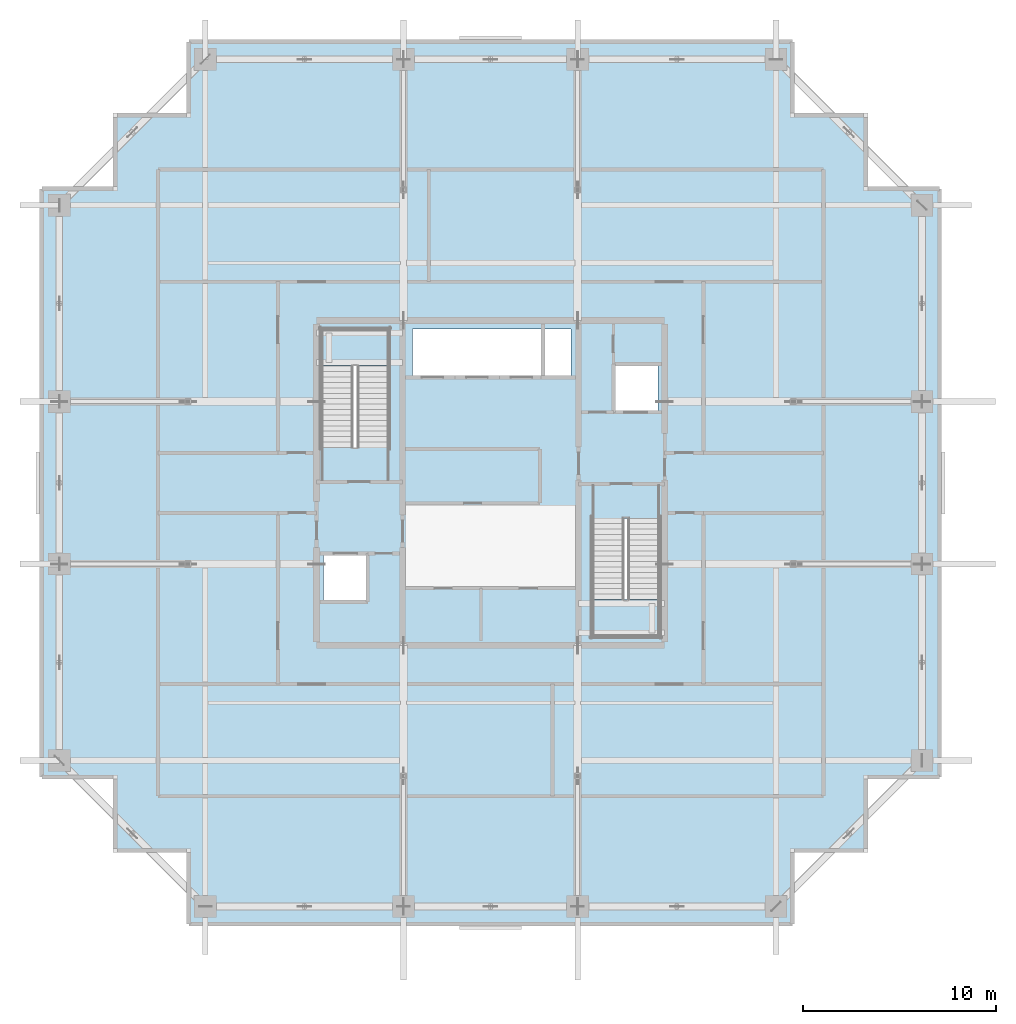
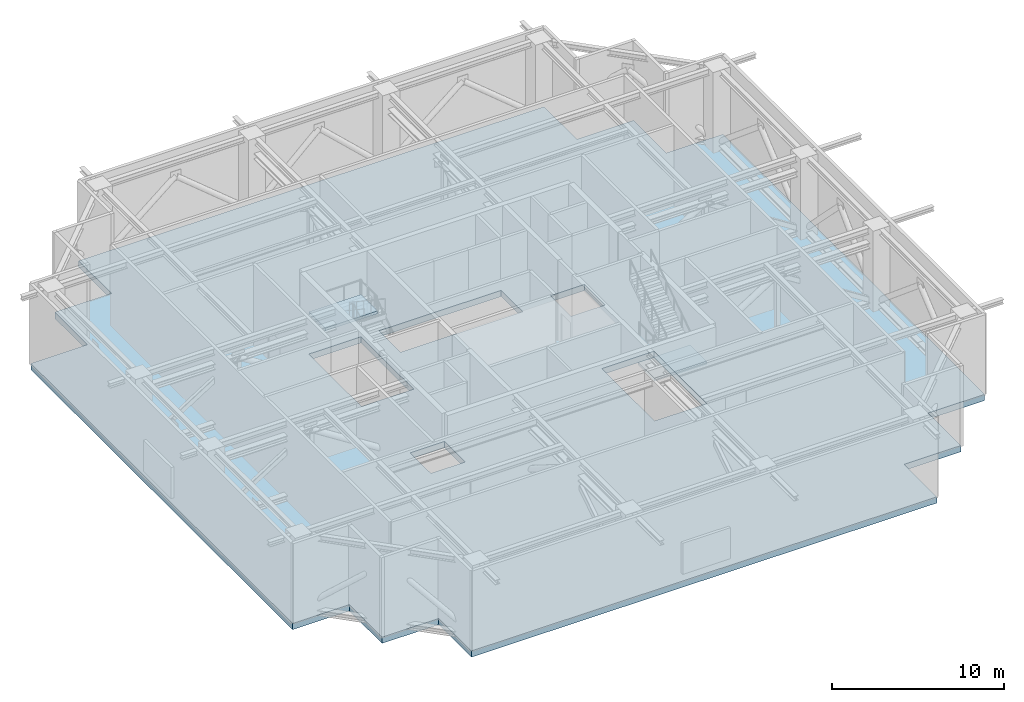
# One storey, part 8 of 22: 3 slabs, 2 elements without a shape of their own.
"""IFC4 building model written with IfcOpenShell, lengths in metres."""

import ifcopenshell
import ifcopenshell.guid

model = None  # the IFC model being written
_history = None  # IfcOwnerHistory: only IFC2X3 demands one
_inside = {}  # id of a spatial element -> (the spatial element, [elements in it])
_under = {}  # id of a project, library or spatial element -> (it, [spatial elements below it])
_declared = {}  # id of a project -> (the project, [libraries it declares])
_typed = {}  # id of a type object -> (the type object, [elements of that type])
_made_of = {}  # id of a material, layer set ... -> (it, [elements and type objects made of it])


def new_model(schema):
    """Start an empty IFC model of exactly this schema.

    Asked for "IFC4X3", IfcOpenShell would pick the latest addendum, in which some entities
    have other attributes; the version numbers below select the first issue.
    IFC2X3 requires an IfcOwnerHistory on every rooted entity: one is made here for all.
    """
    global model, _history
    if schema == "IFC4X3":
        model = ifcopenshell.file(schema_version=(4, 3, 0, 0))
    else:
        model = ifcopenshell.file(schema=schema)
    _inside.clear()
    _under.clear()
    _declared.clear()
    _typed.clear()
    _made_of.clear()
    _history = None
    if model.schema == "IFC2X3":
        org = make("IfcOrganization", Name="unknown")
        user = make(
            "IfcPersonAndOrganization",
            ThePerson=make("IfcPerson", FamilyName="unknown"),
            TheOrganization=org,
        )
        app = make(
            "IfcApplication",
            ApplicationDeveloper=org,
            Version="unknown",
            ApplicationFullName="unknown",
            ApplicationIdentifier="unknown",
        )
        _history = make(
            "IfcOwnerHistory",
            OwningUser=user,
            OwningApplication=app,
            ChangeAction="ADDED",
            CreationDate=0,
        )
    return model


def make(cls, **values):
    """One entity of the class cls with the attributes given. An attribute that is None is left unset."""
    return model.create_entity(
        cls, **{name: value for name, value in values.items() if value is not None}
    )


def rooted(cls, **values):
    """An entity with a GlobalId (a new one), such as an element, a storey or a relation."""
    return make(cls, GlobalId=ifcopenshell.guid.new(), OwnerHistory=_history, **values)


def si_unit(unit_type, name, prefix=None):
    """IfcSIUnit, for example si_unit("LENGTHUNIT", "METRE", prefix="MILLI")."""
    return make("IfcSIUnit", UnitType=unit_type, Prefix=prefix, Name=name)


def assignment(units):
    """IfcUnitAssignment: the units of a project."""
    return None if units is None else make("IfcUnitAssignment", Units=units)


def point(xyz):
    """IfcCartesianPoint."""
    return None if xyz is None else make("IfcCartesianPoint", Coordinates=xyz)


def direction(xyz):
    """IfcDirection."""
    return None if xyz is None else make("IfcDirection", DirectionRatios=xyz)


def frame(location, z_axis=None, x_axis=None):
    """IfcAxis2Placement3D, a coordinate frame: its origin and axes. An axis left out is left unset."""
    return make(
        "IfcAxis2Placement3D",
        Location=point(location),
        Axis=direction(z_axis),
        RefDirection=direction(x_axis),
    )


def origin():
    """The frame at (0, 0, 0) with its axes left unset."""
    return frame((0.0, 0.0, 0.0))


def place(relative_to, where):
    """IfcLocalPlacement: puts the frame where relative to a parent placement (None: the world)."""
    return make(
        "IfcLocalPlacement", PlacementRelTo=relative_to, RelativePlacement=where
    )


def context(
    kind, dimensions, precision=None, world=None, true_north=None, identifier=None
):
    """IfcGeometricRepresentationContext, for example the 3D "Model" context."""
    return make(
        "IfcGeometricRepresentationContext",
        ContextIdentifier=identifier,
        ContextType=kind,
        CoordinateSpaceDimension=dimensions,
        Precision=precision,
        WorldCoordinateSystem=world,
        TrueNorth=true_north,
    )


def subcontext(parent, identifier, kind, view, scale=None):
    """IfcGeometricRepresentationSubContext, for example "Body" below "Model"."""
    return make(
        "IfcGeometricRepresentationSubContext",
        ContextIdentifier=identifier,
        ContextType=kind,
        ParentContext=parent,
        TargetScale=scale,
        TargetView=view,
    )


def project(units=None, contexts=None):
    """IfcProject with its units and contexts."""
    return rooted(
        "IfcProject",
        Name="project",
        RepresentationContexts=contexts,
        UnitsInContext=assignment(units),
    )


def spatial(cls, under=None, at=None, **own):
    """A site, building, storey or space (cls), placed at a placement, below another one or the project."""
    s = rooted(cls, ObjectPlacement=at, **own)
    if under is not None:
        _under.setdefault(under.id(), (under, []))[1].append(s)
    return s


def polyline(points):
    """IfcPolyline through the points."""
    return make("IfcPolyline", Points=[point(p) for p in points])


def outline(outer, holes=None, kind="AREA"):
    """IfcArbitraryClosedProfileDef: a profile drawn as a closed curve; with holes, ...WithVoids."""
    if holes is None:
        return make("IfcArbitraryClosedProfileDef", ProfileType=kind, OuterCurve=outer)
    return make(
        "IfcArbitraryProfileDefWithVoids",
        ProfileType=kind,
        OuterCurve=outer,
        InnerCurves=holes,
    )


def extrude(swept, where, along, depth):
    """IfcExtrudedAreaSolid: the profile swept, set in the frame where, extruded along a direction by depth."""
    return make(
        "IfcExtrudedAreaSolid",
        SweptArea=swept,
        Position=where,
        ExtrudedDirection=direction(along),
        Depth=depth,
    )


def shape(context_of_items, identifier, shape_type, items):
    """IfcShapeRepresentation: the items that make up one representation, for example the "Body"."""
    return make(
        "IfcShapeRepresentation",
        ContextOfItems=context_of_items,
        RepresentationIdentifier=identifier,
        RepresentationType=shape_type,
        Items=items,
    )


def material(Name=None, Category=None):
    """IfcMaterial."""
    return make("IfcMaterial", Name=Name, Category=Category)


def layer(
    of_material, thickness, ventilated=None, Name=None, Category=None, Priority=None
):
    """IfcMaterialLayer: one layer of a wall or slab, of a material (None: an air gap)."""
    return make(
        "IfcMaterialLayer",
        Material=of_material,
        LayerThickness=thickness,
        IsVentilated=ventilated,
        Name=Name,
        Category=Category,
        Priority=Priority,
    )


def layer_set(layers, Name=None):
    """IfcMaterialLayerSet."""
    return make("IfcMaterialLayerSet", MaterialLayers=layers, LayerSetName=Name)


def made_of(thing, what):
    """Note that an element or type object is made of a material, layer set ...; save() writes the relation."""
    if what is not None:
        _made_of.setdefault(what.id(), (what, []))[1].append(thing)
    return thing


def type_object(cls, material=None, **own):
    """A type object (cls), such as IfcWallType, which elements share."""
    return made_of(rooted(cls, **own), material)


def element(
    cls,
    number,
    at=None,
    inside=None,
    cuts=None,
    type_object=None,
    material=None,
    context=None,
    identifier="Body",
    shape_type=None,
    held_by="IfcProductDefinitionShape",
    body=None,
    shapes=None,
    **own,
):
    """One element of the class cls, such as IfcWall. Its Tag is "e" and its number.

    at: its placement. inside: the storey or other place that contains it. cuts: it is an
    opening in that element (IfcRelVoidsElement). A single representation is given by context,
    identifier, shape_type and body (its items); several are given by shapes. held_by: the class
    of the entity that holds the representations. save() writes the other relations.
    """
    e = rooted(cls, Tag="e%d" % number, ObjectPlacement=at, **own)
    if body is not None:
        shapes = [shape(context, identifier, shape_type, body)]
    if shapes is not None:
        e.Representation = make(held_by, Representations=shapes)
    if inside is not None:
        _inside.setdefault(inside.id(), (inside, []))[1].append(e)
    if cuts is not None:
        rooted(
            "IfcRelVoidsElement", RelatingBuildingElement=cuts, RelatedOpeningElement=e
        )
    if type_object is not None:
        _typed.setdefault(type_object.id(), (type_object, []))[1].append(e)
    return made_of(e, material)


def aggregate(whole, parts):
    """IfcRelAggregates: a whole, such as a stair, and the parts it consists of."""
    return rooted("IfcRelAggregates", RelatingObject=whole, RelatedObjects=parts)


def save(model, path):
    """Write the relations noted so far, then the file.

    IfcRelAggregates (storeys below a building ...), IfcRelContainedInSpatialStructure (elements
    in a storey), IfcRelDefinesByType, IfcRelAssociatesMaterial and IfcRelDeclares: one each for
    every whole, place, type object, material and project.
    """
    for whole, parts in _under.values():
        aggregate(whole, parts)
    for where, things in _inside.values():
        rooted(
            "IfcRelContainedInSpatialStructure",
            RelatedElements=things,
            RelatingStructure=where,
        )
    for kind, things in _typed.values():
        rooted("IfcRelDefinesByType", RelatedObjects=things, RelatingType=kind)
    for what, things in _made_of.values():
        rooted("IfcRelAssociatesMaterial", RelatedObjects=things, RelatingMaterial=what)
    for by, libraries in _declared.values():
        rooted("IfcRelDeclares", RelatingContext=by, RelatedDefinitions=libraries)
    model.write(path)


model = new_model("IFC4")

# Units and contexts
model_context = context("Model", 3, precision=1e-05, world=origin(), true_north=direction((0.0, 1.0)))
body_context = subcontext(model_context, "Body", "Model", "MODEL_VIEW")
ifc_project = project(units=[si_unit("LENGTHUNIT", "METRE"), si_unit("AREAUNIT", "SQUARE_METRE"), si_unit("VOLUMEUNIT", "CUBIC_METRE"), si_unit("PLANEANGLEUNIT", "RADIAN"), si_unit("MASSUNIT", "GRAM", prefix="KILO")], contexts=[model_context])

# Site, building, storey
site_placement = place(None, origin())
site = spatial("IfcSite", under=ifc_project, at=site_placement, CompositionType="ELEMENT")
building_placement = place(site_placement, origin())
building = spatial("IfcBuilding", under=site, at=building_placement, Name="Serunith Strait Residences", CompositionType="ELEMENT")
storey_placement = place(building_placement, frame((0.0, 0.0, 287.449951171875)))
storey = spatial("IfcBuildingStorey", under=building, at=storey_placement, Name="L72", CompositionType="ELEMENT", Elevation=287.449951171875)

# Stair, slab
ifc_material_1 = material(Name="Concrete C50/60", Category="concrete")
stair_type_1 = type_object("IfcStairType", Name="STR-CORE-1", PredefinedType="HALF_TURN_STAIR", material=ifc_material_1)
stair_1_placement = place(storey_placement, origin())
stair_1 = element("IfcStair", 1, at=stair_1_placement, inside=storey, type_object=stair_type_1, Name="L72 Protected Escape Stair ST-1", PredefinedType="HALF_TURN_STAIR")
ifc_layer_1 = layer(ifc_material_1, 0.199951171875, Name="Concrete C50/60")
ifc_layer_set_1 = layer_set([ifc_layer_1], Name="Concrete C50/60")
slab_type_1 = type_object("IfcSlabType", Name="SLB-LAND-200", PredefinedType="LANDING", material=ifc_layer_set_1)
slab_1_placement = place(storey_placement, frame((0.0, 0.0, 2.800048828125)))
slab_1 = element("IfcSlab", 2, at=slab_1_placement, type_object=slab_type_1, Name="ST-1 landing 1", PredefinedType="LANDING", context=body_context, shape_type="SweptSolid", body=[
    extrude(outline(polyline([(27.14990234375, 31.22998046875), (27.14990234375, 33.14990234375), (23.64990234375, 33.14990234375), (23.64990234375, 31.22998046875), (27.14990234375, 31.22998046875)])), origin(), (0.0, 0.0, 1.0), 0.199951171875),
])
aggregate(stair_1, [slab_1])

stair_type_2 = type_object("IfcStairType", Name="STR-CORE-2", PredefinedType="HALF_TURN_STAIR", material=ifc_material_1)
stair_2_placement = place(storey_placement, origin())
stair_2 = element("IfcStair", 3, at=stair_2_placement, inside=storey, type_object=stair_type_2, Name="L72 Protected Escape Stair ST-2", PredefinedType="HALF_TURN_STAIR")
slab_2_placement = place(storey_placement, frame((0.0, 0.0, 2.800048828125)))
slab_2 = element("IfcSlab", 4, at=slab_2_placement, type_object=slab_type_1, Name="ST-2 landing 1", PredefinedType="LANDING", context=body_context, shape_type="SweptSolid", body=[
    extrude(outline(polyline([(37.64990234375, 19.169921875), (37.64990234375, 17.25), (41.14990234375, 17.25), (41.14990234375, 19.169921875), (37.64990234375, 19.169921875)])), origin(), (0.0, 0.0, 1.0), 0.199951171875),
])
aggregate(stair_2, [slab_2])

# Slab
ifc_material_2 = material(Name="Concrete C70/85", Category="concrete")
ifc_layer_2 = layer(ifc_material_2, 0.43994140625, Name="Concrete C70/85")
ifc_layer_set_2 = layer_set([ifc_layer_2], Name="Concrete C70/85")
slab_type_2 = type_object("IfcSlabType", Name="SLB-SETB-440", PredefinedType="FLOOR", material=ifc_layer_set_2)
slab_3_placement = place(storey_placement, frame((0.0, 0.0, -0.43994140625)))
element("IfcSlab", 5, at=slab_3_placement, inside=storey, type_object=slab_type_2, Name="L72 Structural Floor Plate", PredefinedType="FLOOR", context=body_context, shape_type="SweptSolid", body=[
    extrude(outline(polyline([(16.800048828125, 6.199951171875), (13.0, 6.199951171875), (13.0, 10.0), (9.199951171875, 10.0), (9.199951171875, 40.39990234375), (13.0, 40.39990234375), (13.0, 44.199951171875), (16.800048828125, 44.199951171875), (16.800048828125, 48.0), (48.0, 48.0), (48.0, 44.199951171875), (51.800048828125, 44.199951171875), (51.800048828125, 40.39990234375), (55.60009765625, 40.39990234375), (55.60009765625, 10.0), (51.800048828125, 10.0), (51.800048828125, 6.199951171875), (48.0, 6.199951171875), (48.0, 2.39990234375), (16.800048828125, 2.39990234375), (16.800048828125, 6.199951171875)]), holes=[polyline([(41.14990234375, 23.3701171875), (37.64990234375, 23.3701171875), (37.64990234375, 17.25), (41.14990234375, 17.25), (41.14990234375, 23.3701171875)]), polyline([(38.75, 31.25), (38.75, 28.85009765625), (41.050048828125, 28.85009765625), (41.050048828125, 31.25), (38.75, 31.25)]), polyline([(36.550048828125, 33.14990234375), (28.35009765625, 33.14990234375), (28.35009765625, 30.64990234375), (36.550048828125, 30.64990234375), (36.550048828125, 33.14990234375)]), polyline([(23.64990234375, 33.14990234375), (23.64990234375, 27.030029296875), (27.14990234375, 27.030029296875), (27.14990234375, 33.14990234375), (23.64990234375, 33.14990234375)]), polyline([(23.75, 21.550048828125), (23.75, 19.14990234375), (26.050048828125, 19.14990234375), (26.050048828125, 21.550048828125), (23.75, 21.550048828125)])]), origin(), (0.0, 0.0, 1.0), 0.43994140625),
])

save(model, "model.ifc")
